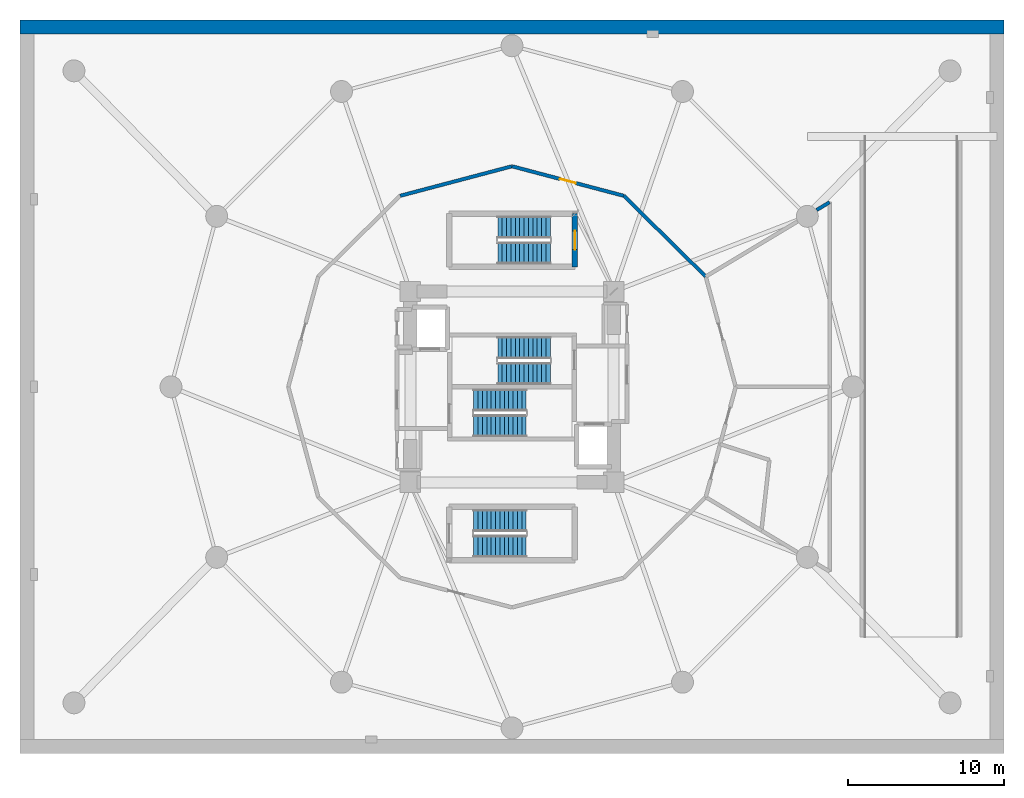
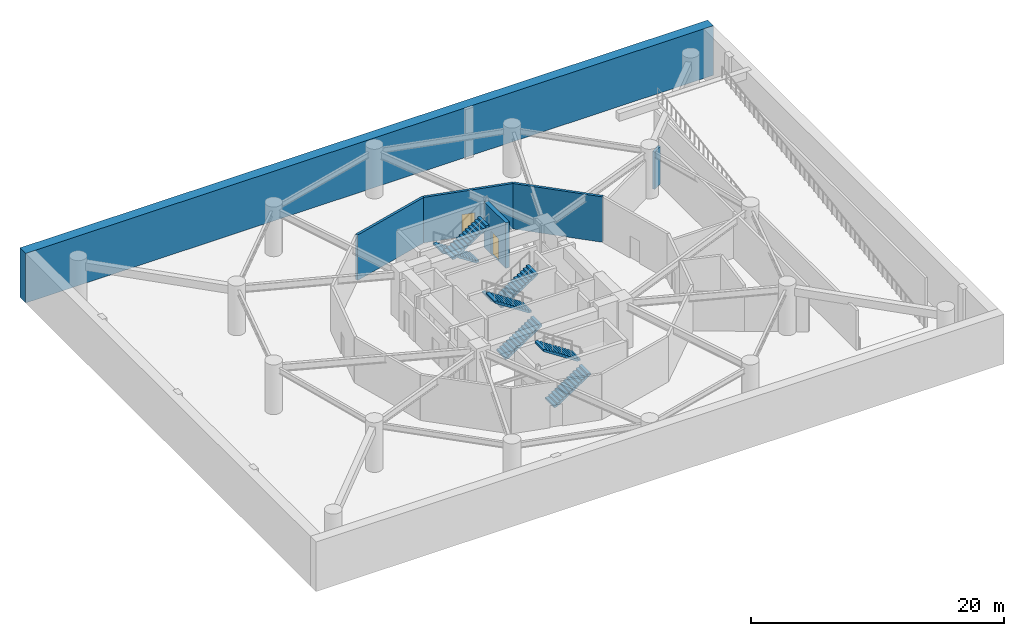
# One storey, part 8 of 10: 8 stair flights, 6 walls, 2 doors, 2 openings, 4 elements without a shape of their own.
"""IFC4 building model written with IfcOpenShell, lengths in metres."""

from ifc_helpers import new_model, si_unit, direction, frame, frame_2d, origin, place, context, subcontext, project, spatial, polyline, rectangle, outline, extrude, material, layer, layer_set, type_object, element, fill, aggregate, save


model = new_model("IFC4")

# Units and contexts
model_context = context("Model", 3, precision=1e-05, world=origin(), true_north=direction((0.0, 1.0)))
body_context = subcontext(model_context, "Body", "Model", "MODEL_VIEW")
ifc_project = project(units=[si_unit("LENGTHUNIT", "METRE"), si_unit("AREAUNIT", "SQUARE_METRE"), si_unit("VOLUMEUNIT", "CUBIC_METRE"), si_unit("PLANEANGLEUNIT", "RADIAN"), si_unit("MASSUNIT", "GRAM", prefix="KILO")], contexts=[model_context])

# Site, building, storey
site_placement = place(None, origin())
site = spatial("IfcSite", under=ifc_project, at=site_placement, CompositionType="ELEMENT")
building_placement = place(site_placement, origin())
building = spatial("IfcBuilding", under=site, at=building_placement, Name="Solvirekh Grand Hotel", CompositionType="ELEMENT")
storey_placement = place(building_placement, frame((0.0, 0.0, -4.800048828125)))
storey = spatial("IfcBuildingStorey", under=building, at=storey_placement, Name="B01", CompositionType="ELEMENT", Elevation=-4.800048828125)

# Wall, opening, door
ifc_material_1 = material(Name="Concrete C50/60", Category="concrete")
ifc_layer_1 = layer(ifc_material_1, 0.35009765625)
ifc_layer_set_1 = layer_set([ifc_layer_1], Name="Concrete C50/60")
wall_type_1 = type_object("IfcWallType", Name="CoreDivWall_RC350", PredefinedType="SOLIDWALL", material=ifc_layer_set_1)
wall_1_placement = place(storey_placement, frame((4.02490234375, 7.675048828125, 0.0), z_axis=(0.0, 0.0, 1.0), x_axis=(0.0, 1.0, 0.0)))
wall_1 = element("IfcWall", 1, at=wall_1_placement, inside=storey, type_object=wall_type_1, Name="B01 feature stair ST-4 east landing wall", PredefinedType="SOLIDWALL", context=body_context, shape_type="SweptSolid", body=[
    extrude(rectangle(XDim=3.39990234375, YDim=0.35009765625, at=frame_2d((1.699951171875, 0.0))), origin(), (0.0, 0.0, 1.0), 4.39501953125),
])
opening_1_placement = place(wall_1_placement, frame((1.10009765625, 0.0, 0.0)))
opening_1 = element("IfcOpeningElement", 2, at=opening_1_placement, cuts=wall_1, Name="Opening D05", PredefinedType="OPENING", context=body_context, shape_type="SweptSolid", body=[
    extrude(rectangle(XDim=1.199951171875, YDim=2.199951171875, at=frame_2d((0.60009765625, 1.10009765625))), frame((0.0, 0.18505859375, 0.0), z_axis=(0.0, -1.0, 0.0), x_axis=(1.0, 0.0, 0.0)), (0.0, 0.0, 1.0), 0.3701171875),
])
ifc_material_2 = material(Name="Fire-Rated Steel Door Assembly", Category="steel")
door_type_1 = type_object("IfcDoorType", Name="Door_StairCore_1200X2200", OperationType="NOTDEFINED", PredefinedType="DOOR", material=ifc_material_2)
door_1_placement = place(opening_1_placement, origin())
door_1 = element("IfcDoor", 3, at=door_1_placement, inside=storey, type_object=door_type_1, Name="B01 feature stair ST-4 fire door", OperationType="SINGLE_SWING_LEFT", OverallHeight=2.199951171875, OverallWidth=1.199951171875, PredefinedType="DOOR", context=body_context, shape_type="SweptSolid", body=[
    extrude(rectangle(XDim=1.199951171875, YDim=2.199951171875, at=frame_2d((0.60009765625, 1.10009765625))), frame((0.0, 0.02490234375, 0.0), z_axis=(0.0, -1.0, 0.0), x_axis=(1.0, 0.0, 0.0)), (0.0, 0.0, 1.0), 0.050048828125),
])
fill(opening_1, door_1)

ifc_material_3 = material(Name="Precast concrete C45/55", Category="concrete")
ifc_layer_2 = layer(ifc_material_3, 0.22509765625)
ifc_layer_set_2 = layer_set([ifc_layer_2], Name="Precast concrete C45/55")
wall_type_2 = type_object("IfcWallType", Name="Part_Plant_225", PredefinedType="PARTITIONING", material=ifc_layer_set_2)
wall_2_placement = place(storey_placement, frame((7.14990234375, 12.2109375, 0.0), z_axis=(0.0, 0.0, 1.0), x_axis=(-0.966820901533, 0.255455170937, 0.0)))
wall_2 = element("IfcWall", 4, at=wall_2_placement, inside=storey, type_object=wall_type_2, Name="B01 B01 North Car Park & Accessible Bays entry wall", PredefinedType="PARTITIONING", context=body_context, shape_type="SweptSolid", body=[
    extrude(rectangle(XDim=7.395263671875, YDim=0.22509765625, at=frame_2d((3.69775390625, 0.0))), origin(), (0.0, 0.0, 1.0), 4.39501953125),
])
opening_2_placement = place(wall_2_placement, frame((3.173095703125, 0.0, 0.0)))
opening_2 = element("IfcOpeningElement", 5, at=opening_2_placement, cuts=wall_2, Name="Opening D12", PredefinedType="OPENING", context=body_context, shape_type="SweptSolid", body=[
    extrude(rectangle(XDim=1.050048828125, YDim=2.14990234375, at=frame_2d((0.52490234375, 1.074951171875))), frame((0.0, 0.12255859375, 0.0), z_axis=(0.0, -1.0, 0.0), x_axis=(1.0, 0.0, 0.0)), (0.0, 0.0, 1.0), 0.2451171875),
])
door_type_2 = type_object("IfcDoorType", Name="Door_PlantBOH_1050X2150", OperationType="NOTDEFINED", PredefinedType="DOOR", material=ifc_material_2)
door_2_placement = place(opening_2_placement, origin())
door_2 = element("IfcDoor", 6, at=door_2_placement, inside=storey, type_object=door_type_2, Name="B01 B01 North Car Park & Accessible Bays door", OperationType="SINGLE_SWING_LEFT", OverallHeight=2.14990234375, OverallWidth=1.050048828125, PredefinedType="DOOR", context=body_context, shape_type="SweptSolid", body=[
    extrude(rectangle(XDim=1.050048828125, YDim=2.14990234375, at=frame_2d((0.52490234375, 1.074951171875))), frame((0.0, 0.02490234375, 0.0), z_axis=(0.0, -1.0, 0.0), x_axis=(1.0, 0.0, 0.0)), (0.0, 0.0, 1.0), 0.050048828125),
])
fill(opening_2, door_2)

# Walls
wall_3_placement = place(storey_placement, frame((12.384033203125, 7.050048828125, 0.0), z_axis=(0.0, 0.0, 1.0), x_axis=(-0.712071304345, 0.702107155303, 0.0)))
element("IfcWall", 7, at=wall_3_placement, inside=storey, type_object=wall_type_2, Name="B01 B01 North Car Park & Accessible Bays corridor fire wall 1", PredefinedType="PARTITIONING", context=body_context, shape_type="SweptSolid", body=[
    extrude(rectangle(XDim=7.3505859375, YDim=0.22509765625, at=frame_2d((3.67529296875, 0.0))), origin(), (0.0, 0.0, 1.0), 4.39501953125),
])
wall_4_placement = place(storey_placement, frame((0.0, 14.10009765625, 0.0), z_axis=(0.0, 0.0, 1.0), x_axis=(-0.966820901533, -0.255455170937, 0.0)))
element("IfcWall", 8, at=wall_4_placement, inside=storey, type_object=wall_type_2, Name="B01 B01 North Car Park & Accessible Bays corridor fire wall 2", PredefinedType="PARTITIONING", context=body_context, shape_type="SweptSolid", body=[
    extrude(rectangle(XDim=7.395263671875, YDim=0.22509765625, at=frame_2d((3.69775390625, 0.0))), origin(), (0.0, 0.0, 1.0), 4.39501953125),
])
wall_5_placement = place(storey_placement, frame((19.47509765625, 11.304931640625, 0.0), z_axis=(0.0, 0.0, 1.0), x_axis=(0.857425748935, 0.51460770016, 0.0)))
element("IfcWall", 9, at=wall_5_placement, inside=storey, type_object=wall_type_2, Name="B01 Central Housekeeping & Receiving Store enclosure wall 1 (B)", PredefinedType="PARTITIONING", context=body_context, shape_type="SweptSolid", body=[
    extrude(rectangle(XDim=0.962158203125, YDim=0.22509765625, at=frame_2d((0.48095703125, 0.0))), origin(), (0.0, 0.0, 1.0), 3.630126953125),
])
ifc_layer_3 = layer(ifc_material_1, 0.89990234375)
ifc_layer_set_3 = layer_set([ifc_layer_3], Name="Concrete C50/60")
wall_type_3 = type_object("IfcWallType", Name="RetainingWall_RC900", PredefinedType="SHEAR", material=ifc_layer_set_3)
wall_6_placement = place(storey_placement, frame((31.449951171875, 23.0, 0.0), z_axis=(0.0, 0.0, 1.0), x_axis=(-1.0, 0.0, 0.0)))
element("IfcWall", 10, at=wall_6_placement, inside=storey, type_object=wall_type_3, Name="B01 N perimeter retaining wall", PredefinedType="SHEAR", context=body_context, shape_type="SweptSolid", body=[
    extrude(rectangle(XDim=62.89990234375, YDim=0.89990234375, at=frame_2d((31.449951171875, 0.0))), origin(), (0.0, 0.0, 1.0), 4.800048828125),
])

# Stair, stair flights
ifc_material_4 = material(Name="Concrete C40/50", Category="concrete")
stair_type_1 = type_object("IfcStairType", Name="Stair_Core_1450", PredefinedType="HALF_TURN_STAIR", material=ifc_material_4)
stair_1_placement = place(storey_placement, origin())
stair_1 = element("IfcStair", 11, at=stair_1_placement, inside=storey, type_object=stair_type_1, Name="B01 Enclosed exit stair ST-1", PredefinedType="HALF_TURN_STAIR")
stair_flight_type_1 = type_object("IfcStairFlightType", Name="Flight_Core_1450", PredefinedType="STRAIGHT", material=ifc_material_4)
stair_flight_1_placement = place(storey_placement, frame((-2.449951171875, -2.5, 0.0), z_axis=(0.0, 0.0, 1.0), x_axis=(1.0, 0.0, 0.0)))
stair_flight_1 = element("IfcStairFlight", 12, at=stair_flight_1_placement, type_object=stair_flight_type_1, Name="ST-1 flight 1", NumberOfRisers=13, NumberOfTreads=12, PredefinedType="STRAIGHT", RiserHeight=0.184615385, TreadLength=0.28, context=body_context, shape_type="SweptSolid", body=[
    extrude(outline(polyline([(0.0, 0.0), (0.0, 0.1845703125), (0.280029296875, 0.1845703125), (0.280029296875, 0.369140625), (0.56005859375, 0.369140625), (0.56005859375, 0.553955078125), (0.840087890625, 0.553955078125), (0.840087890625, 0.738525390625), (1.1201171875, 0.738525390625), (1.1201171875, 0.923095703125), (1.39990234375, 0.923095703125), (1.39990234375, 1.107666015625), (1.679931640625, 1.107666015625), (1.679931640625, 1.292236328125), (1.9599609375, 1.292236328125), (1.9599609375, 1.476806640625), (2.239990234375, 1.476806640625), (2.239990234375, 1.66162109375), (2.52001953125, 1.66162109375), (2.52001953125, 1.84619140625), (2.800048828125, 1.84619140625), (2.800048828125, 2.03076171875), (3.080078125, 2.03076171875), (3.080078125, 2.21533203125), (3.360107421875, 2.21533203125), (3.360107421875, 2.39990234375), (3.360107421875, 2.035888671875), (0.272216796875, 0.0), (0.0, 0.0)])), frame((0.0, 0.699951171875, 0.0), z_axis=(0.0, -1.0, 0.0), x_axis=(1.0, 0.0, 0.0)), (0.0, 0.0, 1.0), 1.39990234375),
])
stair_flight_2_placement = place(storey_placement, frame((0.909912109375, -0.85009765625, 2.400146484375), z_axis=(0.0, 0.0, 1.0), x_axis=(-1.0, 0.0, 0.0)))
stair_flight_2 = element("IfcStairFlight", 13, at=stair_flight_2_placement, type_object=stair_flight_type_1, Name="ST-1 flight 2", NumberOfRisers=13, NumberOfTreads=12, PredefinedType="STRAIGHT", RiserHeight=0.184615385, TreadLength=0.28, context=body_context, shape_type="SweptSolid", body=[
    extrude(outline(polyline([(0.0, 0.0), (0.0, 0.1845703125), (0.280029296875, 0.1845703125), (0.280029296875, 0.369140625), (0.56005859375, 0.369140625), (0.56005859375, 0.553955078125), (0.840087890625, 0.553955078125), (0.840087890625, 0.738525390625), (1.1201171875, 0.738525390625), (1.1201171875, 0.923095703125), (1.39990234375, 0.923095703125), (1.39990234375, 1.107666015625), (1.679931640625, 1.107666015625), (1.679931640625, 1.292236328125), (1.9599609375, 1.292236328125), (1.9599609375, 1.476806640625), (2.239990234375, 1.476806640625), (2.239990234375, 1.66162109375), (2.52001953125, 1.66162109375), (2.52001953125, 1.84619140625), (2.800048828125, 1.84619140625), (2.800048828125, 2.03076171875), (3.080078125, 2.03076171875), (3.080078125, 2.21533203125), (3.360107421875, 2.21533203125), (3.360107421875, 2.39990234375), (3.360107421875, 2.035888671875), (0.272216796875, 0.0), (0.0, 0.0)])), frame((0.0, 0.699951171875, 0.0), z_axis=(0.0, -1.0, 0.0), x_axis=(1.0, 0.0, 0.0)), (0.0, 0.0, 1.0), 1.39990234375),
])
aggregate(stair_1, [stair_flight_1, stair_flight_2])

stair_2_placement = place(storey_placement, origin())
stair_2 = element("IfcStair", 14, at=stair_2_placement, inside=storey, type_object=stair_type_1, Name="B01 Enclosed exit stair ST-2", PredefinedType="HALF_TURN_STAIR")
stair_flight_3_placement = place(storey_placement, frame((2.449951171875, 2.5, 0.0), z_axis=(0.0, 0.0, 1.0), x_axis=(-1.0, 0.0, 0.0)))
stair_flight_3 = element("IfcStairFlight", 15, at=stair_flight_3_placement, type_object=stair_flight_type_1, Name="ST-2 flight 1", NumberOfRisers=13, NumberOfTreads=12, PredefinedType="STRAIGHT", RiserHeight=0.184615385, TreadLength=0.28, context=body_context, shape_type="SweptSolid", body=[
    extrude(outline(polyline([(0.0, 0.0), (0.0, 0.1845703125), (0.280029296875, 0.1845703125), (0.280029296875, 0.369140625), (0.56005859375, 0.369140625), (0.56005859375, 0.553955078125), (0.840087890625, 0.553955078125), (0.840087890625, 0.738525390625), (1.1201171875, 0.738525390625), (1.1201171875, 0.923095703125), (1.39990234375, 0.923095703125), (1.39990234375, 1.107666015625), (1.679931640625, 1.107666015625), (1.679931640625, 1.292236328125), (1.9599609375, 1.292236328125), (1.9599609375, 1.476806640625), (2.239990234375, 1.476806640625), (2.239990234375, 1.66162109375), (2.52001953125, 1.66162109375), (2.52001953125, 1.84619140625), (2.800048828125, 1.84619140625), (2.800048828125, 2.03076171875), (3.080078125, 2.03076171875), (3.080078125, 2.21533203125), (3.360107421875, 2.21533203125), (3.360107421875, 2.39990234375), (3.360107421875, 2.035888671875), (0.272216796875, 0.0), (0.0, 0.0)])), frame((0.0, 0.699951171875, 0.0), z_axis=(0.0, -1.0, 0.0), x_axis=(1.0, 0.0, 0.0)), (0.0, 0.0, 1.0), 1.39990234375),
])
stair_flight_4_placement = place(storey_placement, frame((-0.909912109375, 0.85009765625, 2.400146484375), z_axis=(0.0, 0.0, 1.0), x_axis=(1.0, 0.0, 0.0)))
stair_flight_4 = element("IfcStairFlight", 16, at=stair_flight_4_placement, type_object=stair_flight_type_1, Name="ST-2 flight 2", NumberOfRisers=13, NumberOfTreads=12, PredefinedType="STRAIGHT", RiserHeight=0.184615385, TreadLength=0.28, context=body_context, shape_type="SweptSolid", body=[
    extrude(outline(polyline([(0.0, 0.0), (0.0, 0.1845703125), (0.280029296875, 0.1845703125), (0.280029296875, 0.369140625), (0.56005859375, 0.369140625), (0.56005859375, 0.553955078125), (0.840087890625, 0.553955078125), (0.840087890625, 0.738525390625), (1.1201171875, 0.738525390625), (1.1201171875, 0.923095703125), (1.39990234375, 0.923095703125), (1.39990234375, 1.107666015625), (1.679931640625, 1.107666015625), (1.679931640625, 1.292236328125), (1.9599609375, 1.292236328125), (1.9599609375, 1.476806640625), (2.239990234375, 1.476806640625), (2.239990234375, 1.66162109375), (2.52001953125, 1.66162109375), (2.52001953125, 1.84619140625), (2.800048828125, 1.84619140625), (2.800048828125, 2.03076171875), (3.080078125, 2.03076171875), (3.080078125, 2.21533203125), (3.360107421875, 2.21533203125), (3.360107421875, 2.39990234375), (3.360107421875, 2.035888671875), (0.272216796875, 0.0), (0.0, 0.0)])), frame((0.0, 0.699951171875, 0.0), z_axis=(0.0, -1.0, 0.0), x_axis=(1.0, 0.0, 0.0)), (0.0, 0.0, 1.0), 1.39990234375),
])
aggregate(stair_2, [stair_flight_3, stair_flight_4])

ifc_material_5 = material(Name="Steel S355", Category="steel")
stair_type_2 = type_object("IfcStairType", Name="Stair_Grand_2000", PredefinedType="STRAIGHT_RUN_STAIR", material=ifc_material_5)
stair_3_placement = place(storey_placement, origin())
stair_3 = element("IfcStair", 17, at=stair_3_placement, inside=storey, type_object=stair_type_2, Name="B01 Enclosed exit stair ST-4", PredefinedType="STRAIGHT_RUN_STAIR")
stair_flight_type_2 = type_object("IfcStairFlightType", Name="Flight_Grand_2000", PredefinedType="STRAIGHT", material=ifc_material_5)
stair_flight_5_placement = place(storey_placement, frame((2.449951171875, 10.199951171875, 0.0), z_axis=(0.0, 0.0, 1.0), x_axis=(-1.0, 0.0, 0.0)))
stair_flight_5 = element("IfcStairFlight", 18, at=stair_flight_5_placement, type_object=stair_flight_type_2, Name="ST-4 flight 1", NumberOfRisers=13, NumberOfTreads=12, PredefinedType="STRAIGHT", RiserHeight=0.184615385, TreadLength=0.28, context=body_context, shape_type="SweptSolid", body=[
    extrude(outline(polyline([(0.0, 0.0), (0.0, 0.1845703125), (0.280029296875, 0.1845703125), (0.280029296875, 0.369140625), (0.56005859375, 0.369140625), (0.56005859375, 0.553955078125), (0.840087890625, 0.553955078125), (0.840087890625, 0.738525390625), (1.1201171875, 0.738525390625), (1.1201171875, 0.923095703125), (1.39990234375, 0.923095703125), (1.39990234375, 1.107666015625), (1.679931640625, 1.107666015625), (1.679931640625, 1.292236328125), (1.9599609375, 1.292236328125), (1.9599609375, 1.476806640625), (2.239990234375, 1.476806640625), (2.239990234375, 1.66162109375), (2.52001953125, 1.66162109375), (2.52001953125, 1.84619140625), (2.800048828125, 1.84619140625), (2.800048828125, 2.03076171875), (3.080078125, 2.03076171875), (3.080078125, 2.21533203125), (3.360107421875, 2.21533203125), (3.360107421875, 2.39990234375), (3.360107421875, 2.035888671875), (0.272216796875, 0.0), (0.0, 0.0)])), frame((0.0, 0.699951171875, 0.0), z_axis=(0.0, -1.0, 0.0), x_axis=(1.0, 0.0, 0.0)), (0.0, 0.0, 1.0), 1.39990234375),
])
stair_flight_6_placement = place(storey_placement, frame((-0.909912109375, 8.550048828125, 2.400146484375), z_axis=(0.0, 0.0, 1.0), x_axis=(1.0, 0.0, 0.0)))
stair_flight_6 = element("IfcStairFlight", 19, at=stair_flight_6_placement, type_object=stair_flight_type_2, Name="ST-4 flight 2", NumberOfRisers=13, NumberOfTreads=12, PredefinedType="STRAIGHT", RiserHeight=0.184615385, TreadLength=0.28, context=body_context, shape_type="SweptSolid", body=[
    extrude(outline(polyline([(0.0, 0.0), (0.0, 0.1845703125), (0.280029296875, 0.1845703125), (0.280029296875, 0.369140625), (0.56005859375, 0.369140625), (0.56005859375, 0.553955078125), (0.840087890625, 0.553955078125), (0.840087890625, 0.738525390625), (1.1201171875, 0.738525390625), (1.1201171875, 0.923095703125), (1.39990234375, 0.923095703125), (1.39990234375, 1.107666015625), (1.679931640625, 1.107666015625), (1.679931640625, 1.292236328125), (1.9599609375, 1.292236328125), (1.9599609375, 1.476806640625), (2.239990234375, 1.476806640625), (2.239990234375, 1.66162109375), (2.52001953125, 1.66162109375), (2.52001953125, 1.84619140625), (2.800048828125, 1.84619140625), (2.800048828125, 2.03076171875), (3.080078125, 2.03076171875), (3.080078125, 2.21533203125), (3.360107421875, 2.21533203125), (3.360107421875, 2.39990234375), (3.360107421875, 2.035888671875), (0.272216796875, 0.0), (0.0, 0.0)])), frame((0.0, 0.699951171875, 0.0), z_axis=(0.0, -1.0, 0.0), x_axis=(1.0, 0.0, 0.0)), (0.0, 0.0, 1.0), 1.39990234375),
])
aggregate(stair_3, [stair_flight_5, stair_flight_6])

stair_type_3 = type_object("IfcStairType", Name="Stair_Pod_1600", PredefinedType="HALF_TURN_STAIR", material=ifc_material_4)
stair_4_placement = place(storey_placement, origin())
stair_4 = element("IfcStair", 20, at=stair_4_placement, inside=storey, type_object=stair_type_3, Name="B01 Enclosed exit stair ST-3", PredefinedType="HALF_TURN_STAIR")
stair_flight_type_3 = type_object("IfcStairFlightType", Name="Flight_Pod_1600", PredefinedType="STRAIGHT", material=ifc_material_4)
stair_flight_7_placement = place(storey_placement, frame((-2.449951171875, -10.199951171875, 0.0), z_axis=(0.0, 0.0, 1.0), x_axis=(1.0, 0.0, 0.0)))
stair_flight_7 = element("IfcStairFlight", 21, at=stair_flight_7_placement, type_object=stair_flight_type_3, Name="ST-3 flight 1", NumberOfRisers=13, NumberOfTreads=12, PredefinedType="STRAIGHT", RiserHeight=0.184615385, TreadLength=0.28, context=body_context, shape_type="SweptSolid", body=[
    extrude(outline(polyline([(0.0, 0.0), (0.0, 0.1845703125), (0.280029296875, 0.1845703125), (0.280029296875, 0.369140625), (0.56005859375, 0.369140625), (0.56005859375, 0.553955078125), (0.840087890625, 0.553955078125), (0.840087890625, 0.738525390625), (1.1201171875, 0.738525390625), (1.1201171875, 0.923095703125), (1.39990234375, 0.923095703125), (1.39990234375, 1.107666015625), (1.679931640625, 1.107666015625), (1.679931640625, 1.292236328125), (1.9599609375, 1.292236328125), (1.9599609375, 1.476806640625), (2.239990234375, 1.476806640625), (2.239990234375, 1.66162109375), (2.52001953125, 1.66162109375), (2.52001953125, 1.84619140625), (2.800048828125, 1.84619140625), (2.800048828125, 2.03076171875), (3.080078125, 2.03076171875), (3.080078125, 2.21533203125), (3.360107421875, 2.21533203125), (3.360107421875, 2.39990234375), (3.360107421875, 2.035888671875), (0.272216796875, 0.0), (0.0, 0.0)])), frame((0.0, 0.699951171875, 0.0), z_axis=(0.0, -1.0, 0.0), x_axis=(1.0, 0.0, 0.0)), (0.0, 0.0, 1.0), 1.39990234375),
])
stair_flight_8_placement = place(storey_placement, frame((0.909912109375, -8.550048828125, 2.400146484375), z_axis=(0.0, 0.0, 1.0), x_axis=(-1.0, 0.0, 0.0)))
stair_flight_8 = element("IfcStairFlight", 22, at=stair_flight_8_placement, type_object=stair_flight_type_3, Name="ST-3 flight 2", NumberOfRisers=13, NumberOfTreads=12, PredefinedType="STRAIGHT", RiserHeight=0.184615385, TreadLength=0.28, context=body_context, shape_type="SweptSolid", body=[
    extrude(outline(polyline([(0.0, 0.0), (0.0, 0.1845703125), (0.280029296875, 0.1845703125), (0.280029296875, 0.369140625), (0.56005859375, 0.369140625), (0.56005859375, 0.553955078125), (0.840087890625, 0.553955078125), (0.840087890625, 0.738525390625), (1.1201171875, 0.738525390625), (1.1201171875, 0.923095703125), (1.39990234375, 0.923095703125), (1.39990234375, 1.107666015625), (1.679931640625, 1.107666015625), (1.679931640625, 1.292236328125), (1.9599609375, 1.292236328125), (1.9599609375, 1.476806640625), (2.239990234375, 1.476806640625), (2.239990234375, 1.66162109375), (2.52001953125, 1.66162109375), (2.52001953125, 1.84619140625), (2.800048828125, 1.84619140625), (2.800048828125, 2.03076171875), (3.080078125, 2.03076171875), (3.080078125, 2.21533203125), (3.360107421875, 2.21533203125), (3.360107421875, 2.39990234375), (3.360107421875, 2.035888671875), (0.272216796875, 0.0), (0.0, 0.0)])), frame((0.0, 0.699951171875, 0.0), z_axis=(0.0, -1.0, 0.0), x_axis=(1.0, 0.0, 0.0)), (0.0, 0.0, 1.0), 1.39990234375),
])
aggregate(stair_4, [stair_flight_7, stair_flight_8])

save(model, "model.ifc")
